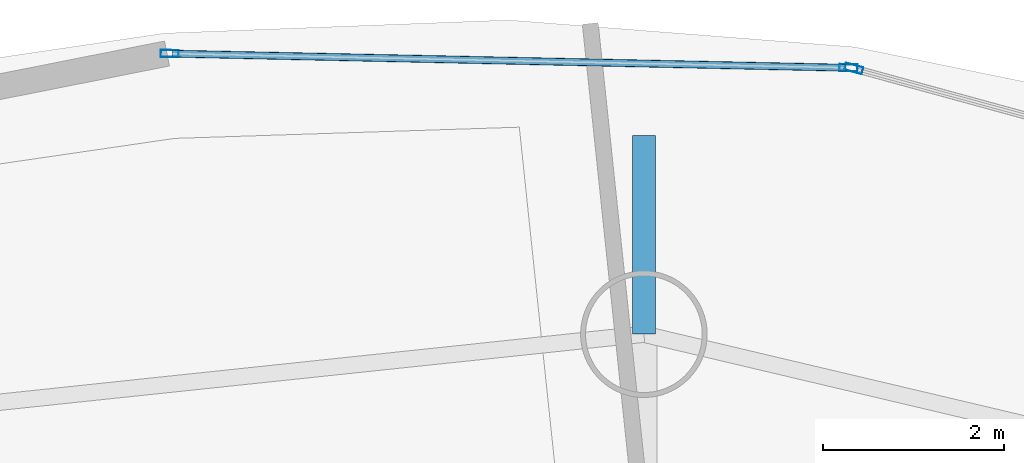
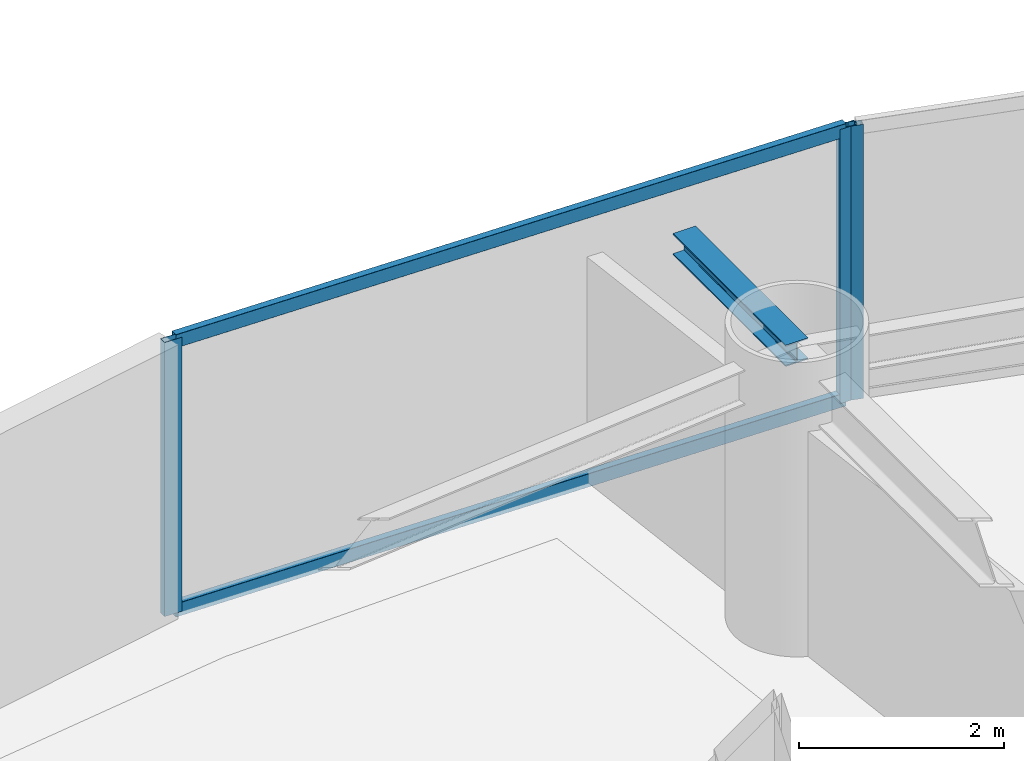
# One storey, part 16 of 26: 5 members, 1 beam, 2 elements without a shape of their own.
"""IFC4 building model written with IfcOpenShell, lengths in metres."""

from ifc_helpers import new_model, si_unit, direction, frame, origin, origin_2d, place, context, subcontext, project, spatial, hollow_rectangle, i_section, extrude, material, layer, layer_set, material_profile, profile_set, type_object, element, aggregate, save


model = new_model("IFC4")

# Units and contexts
model_context = context("Model", 3, precision=1e-05, world=origin(), true_north=direction((0.0, 1.0)))
body_context = subcontext(model_context, "Body", "Model", "MODEL_VIEW")
ifc_project = project(units=[si_unit("LENGTHUNIT", "METRE"), si_unit("AREAUNIT", "SQUARE_METRE"), si_unit("VOLUMEUNIT", "CUBIC_METRE"), si_unit("PLANEANGLEUNIT", "RADIAN"), si_unit("MASSUNIT", "GRAM", prefix="KILO")], contexts=[model_context])

# Site, building, storey
site_placement = place(None, origin())
site = spatial("IfcSite", under=ifc_project, at=site_placement, CompositionType="ELEMENT")
building_placement = place(site_placement, origin())
building = spatial("IfcBuilding", under=site, at=building_placement, Name="Bramvorn Convention Spire", CompositionType="ELEMENT")
storey_placement = place(building_placement, frame((0.0, 0.0, 123.800048828125)))
storey = spatial("IfcBuildingStorey", under=building, at=storey_placement, Name="L30", CompositionType="ELEMENT", Elevation=123.800048828125)

# Beam
ifc_material_1 = material(Name="Steel CSA G40.21 Grade 350 (350W)", Category="steel")
ifc_material_profile_1 = material_profile(ifc_material_1, i_section(OverallWidth=0.25390625, OverallDepth=0.2529296875, WebThickness=0.008544921875, FlangeThickness=0.01416015625, FilletRadius=0.011962890625, at=origin_2d()))
ifc_profile_set_1 = profile_set([ifc_material_profile_1], Name="Steel CSA G40.21 Grade 350 (350W) - W250X73")
beam_type = type_object("IfcBeamType", Name="BM-W250X73", PredefinedType="BEAM", material=ifc_profile_set_1)
beam_placement = place(storey_placement, frame((36.075927734375, 46.517333984375, 3.133544921875), z_axis=(0.0, 1.0, 0.0), x_axis=(-1.0, 0.0, 0.0)))
element("IfcBeam", 1, at=beam_placement, inside=storey, type_object=beam_type, Name="L30 slab-edge cantilever tip beam MC06", PredefinedType="BEAM", context=body_context, shape_type="SweptSolid", body=[
    extrude(i_section(OverallWidth=0.25390625, OverallDepth=0.2529296875, WebThickness=0.008544921875, FlangeThickness=0.01416015625, FilletRadius=0.011962890625, at=origin_2d()), origin(), (0.0, 0.0, 1.0), 2.195068359375),
])

# Curtain wall, member
ifc_material_2 = material(Name="Anodised Bronze Unitised Curtain Wall", Category="aluminium")
ifc_layer = layer(ifc_material_2, 0.179931640625)
ifc_layer_set = layer_set([ifc_layer], Name="Anodised Bronze Unitised Curtain Wall - CW-HTL-FRIT")
curtain_wall_type = type_object("IfcCurtainWallType", Name="CW-HTL-FRIT", PredefinedType="USERDEFINED", material=ifc_layer_set)
curtain_wall_1_placement = place(storey_placement, origin())
curtain_wall_1 = element("IfcCurtainWall", 2, at=curtain_wall_1_placement, inside=storey, type_object=curtain_wall_type, Name="L30 fritted glass curtain wall 07", ObjectType="UNITISED CURTAIN WALL", PredefinedType="USERDEFINED")
ifc_material_3 = material(Name="Anodised Bronze Aluminium 6063-T6", Category="aluminium")
ifc_material_profile_2 = material_profile(ifc_material_3, hollow_rectangle(XDim=0.080078125, YDim=0.199951171875, WallThickness=0.00390625, InnerFilletRadius=0.0009765625, OuterFilletRadius=0.00390625, at=origin_2d()))
ifc_profile_set_2 = profile_set([ifc_material_profile_2], Name="Anodised Bronze Aluminium 6063-T6 - CWM80X200")
member_type_1 = type_object("IfcMemberType", Name="CW-MUL-180", PredefinedType="MULLION", material=ifc_profile_set_2)
member_1_placement = place(storey_placement, frame((38.397705078125, 49.455078125, 0.0), z_axis=(0.0, 0.0, 1.0), x_axis=(0.263919316475, 0.96454476018, 0.0)))
member_1 = element("IfcMember", 3, at=member_1_placement, type_object=member_type_1, Name="CW2 mullion 1", PredefinedType="MULLION", context=body_context, shape_type="SweptSolid", body=[
    extrude(hollow_rectangle(XDim=0.080078125, YDim=0.199951171875, WallThickness=0.00390625, InnerFilletRadius=0.0009765625, OuterFilletRadius=0.00390625, at=origin_2d()), origin(), (0.0, 0.0, 1.0), 3.260009765625),
])
aggregate(curtain_wall_1, [member_1])

# Curtain wall, members
curtain_wall_2_placement = place(storey_placement, origin())
curtain_wall_2 = element("IfcCurtainWall", 4, at=curtain_wall_2_placement, inside=storey, type_object=curtain_wall_type, Name="L30 fritted glass curtain wall 08", ObjectType="UNITISED CURTAIN WALL", PredefinedType="USERDEFINED")
member_2_placement = place(storey_placement, frame((30.831298828125, 49.620849609375, 0.0), z_axis=(0.0, 0.0, 1.0), x_axis=(0.020940237269, 0.999780729192, 0.0)))
member_2 = element("IfcMember", 5, at=member_2_placement, type_object=member_type_1, Name="CW2 mullion 1", PredefinedType="MULLION", context=body_context, shape_type="SweptSolid", body=[
    extrude(hollow_rectangle(XDim=0.080078125, YDim=0.199951171875, WallThickness=0.00390625, InnerFilletRadius=0.0009765625, OuterFilletRadius=0.00390625, at=origin_2d()), origin(), (0.0, 0.0, 1.0), 3.260009765625),
])
member_3_placement = place(storey_placement, frame((38.338623046875, 49.463623046875, 0.0), z_axis=(0.0, 0.0, 1.0), x_axis=(0.020940237269, 0.999780729192, 0.0)))
member_3 = element("IfcMember", 6, at=member_3_placement, type_object=member_type_1, Name="CW2 mullion 2", PredefinedType="MULLION", context=body_context, shape_type="SweptSolid", body=[
    extrude(hollow_rectangle(XDim=0.080078125, YDim=0.199951171875, WallThickness=0.00390625, InnerFilletRadius=0.0009765625, OuterFilletRadius=0.00390625, at=origin_2d()), origin(), (0.0, 0.0, 1.0), 3.260009765625),
])
ifc_material_profile_3 = material_profile(ifc_material_3, hollow_rectangle(XDim=0.080078125, YDim=0.159912109375, WallThickness=0.00390625, InnerFilletRadius=0.0009765625, OuterFilletRadius=0.00390625, at=origin_2d()))
ifc_profile_set_3 = profile_set([ifc_material_profile_3], Name="Anodised Bronze Aluminium 6063-T6 - CWT80X160")
member_type_2 = type_object("IfcMemberType", Name="CW-TRN-150", PredefinedType="USERDEFINED", material=ifc_profile_set_3)
member_4_placement = place(storey_placement, frame((30.861083984375, 49.6201171875, 0.030029296875), z_axis=(0.999780675693, -0.020942791404, 0.0), x_axis=(0.020942791404, 0.999780675693, 0.0)))
member_4 = element("IfcMember", 7, at=member_4_placement, type_object=member_type_2, Name="CW2 transom 1.1", ObjectType="TRANSOM", PredefinedType="USERDEFINED", context=body_context, shape_type="SweptSolid", body=[
    extrude(hollow_rectangle(XDim=0.080078125, YDim=0.159912109375, WallThickness=0.00390625, InnerFilletRadius=0.0009765625, OuterFilletRadius=0.00390625, at=origin_2d()), origin(), (0.0, 0.0, 1.0), 7.44921875),
])
member_5_placement = place(storey_placement, frame((30.861083984375, 49.6201171875, 3.22998046875), z_axis=(0.999780675693, -0.020942791404, 0.0), x_axis=(0.020942791404, 0.999780675693, 0.0)))
member_5 = element("IfcMember", 8, at=member_5_placement, type_object=member_type_2, Name="CW2 transom 1.2", ObjectType="TRANSOM", PredefinedType="USERDEFINED", context=body_context, shape_type="SweptSolid", body=[
    extrude(hollow_rectangle(XDim=0.080078125, YDim=0.159912109375, WallThickness=0.00390625, InnerFilletRadius=0.0009765625, OuterFilletRadius=0.00390625, at=origin_2d()), origin(), (0.0, 0.0, 1.0), 7.44921875),
])
aggregate(curtain_wall_2, [member_2, member_3, member_4, member_5])

save(model, "model.ifc")
